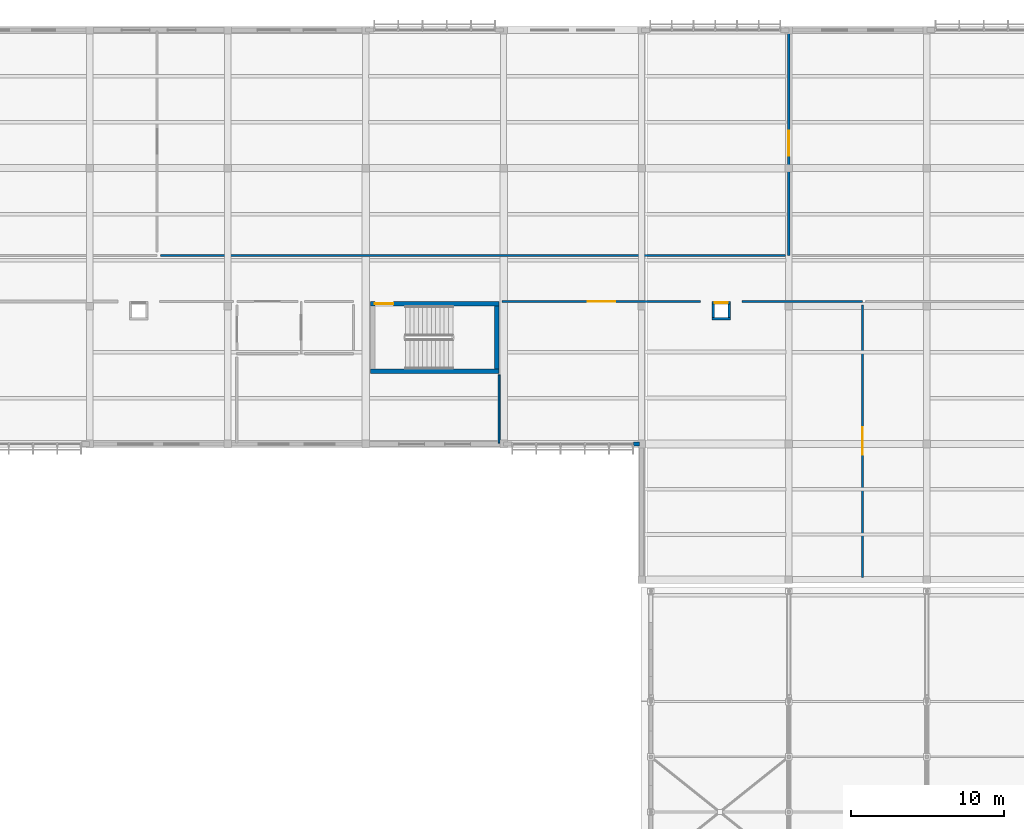
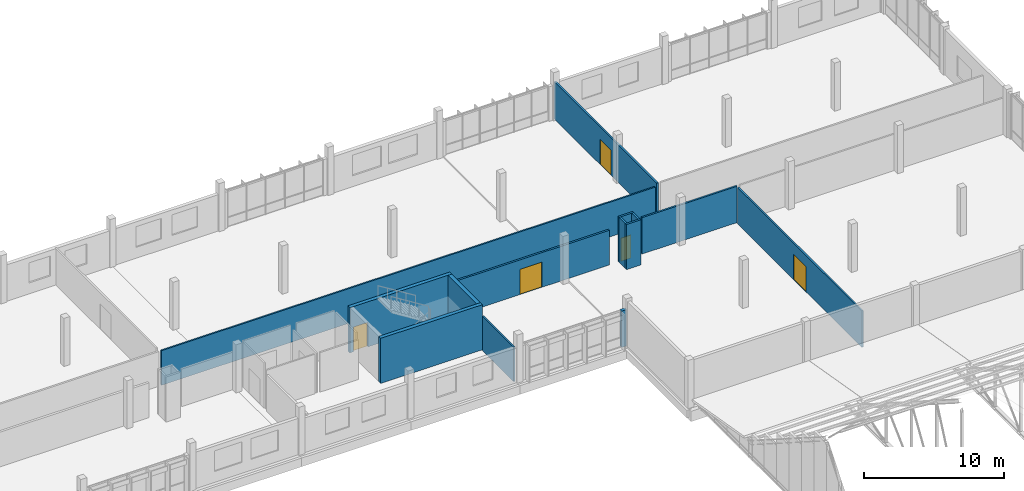
# One storey, part 170 of 182: 14 walls, 5 doors, 5 openings.
"""IFC4 building model written with IfcOpenShell, lengths in metres."""

from ifc_helpers import new_model, si_unit, direction, frame, frame_2d, origin, place, context, subcontext, project, spatial, rectangle, extrude, material, layer, layer_set, type_object, element, fill, save


model = new_model("IFC4")

# Units and contexts
model_context = context("Model", 3, precision=1e-05, world=origin(), true_north=direction((0.0, 1.0)))
body_context = subcontext(model_context, "Body", "Model", "MODEL_VIEW")
ifc_project = project(units=[si_unit("LENGTHUNIT", "METRE"), si_unit("AREAUNIT", "SQUARE_METRE"), si_unit("VOLUMEUNIT", "CUBIC_METRE"), si_unit("PLANEANGLEUNIT", "RADIAN"), si_unit("MASSUNIT", "GRAM", prefix="KILO")], contexts=[model_context])

# Site, building, storey
site_placement = place(None, origin())
site = spatial("IfcSite", under=ifc_project, at=site_placement, CompositionType="ELEMENT")
building_placement = place(site_placement, origin())
building = spatial("IfcBuilding", under=site, at=building_placement, Name="Chiffa Square Polytechnic", CompositionType="ELEMENT")
storey_placement = place(building_placement, frame((0.0, 0.0, 9.60009765625)))
storey = spatial("IfcBuildingStorey", under=building, at=storey_placement, Name="L02", CompositionType="ELEMENT", Elevation=9.60009765625)

# Wall
ifc_material_1 = material(Name="Concrete C40/50", Category="concrete")
ifc_layer_1 = layer(ifc_material_1, 0.300048828125, Name="Concrete C40/50")
ifc_layer_set_1 = layer_set([ifc_layer_1], Name="Concrete C40/50")
wall_type_1 = type_object("IfcWallType", Name="WL-CORE-300", PredefinedType="SHEAR", material=ifc_layer_set_1)
wall_1_placement = place(storey_placement, frame((93.89990234375, 108.550048828125, 0.0), z_axis=(0.0, 0.0, 1.0), x_axis=(1.0, 0.0, 0.0)))
element("IfcWall", 1, at=wall_1_placement, inside=storey, type_object=wall_type_1, Name="Core or enclosure wall WC-CORE-V5B-L02-SOUTH", PredefinedType="SHEAR", context=body_context, shape_type="SweptSolid", body=[
    extrude(rectangle(XDim=8.400146484375, YDim=0.300048828125, at=frame_2d((4.2001953125, 0.0))), origin(), (0.0, 0.0, 1.0), 3.93994140625),
])

# Wall, opening, door
wall_2_placement = place(storey_placement, frame((93.89990234375, 112.949951171875, 0.0), z_axis=(0.0, 0.0, 1.0), x_axis=(1.0, 0.0, 0.0)))
wall_2 = element("IfcWall", 2, at=wall_2_placement, inside=storey, type_object=wall_type_1, Name="Core or enclosure wall WC-CORE-V5B-L02-NORTH", PredefinedType="SHEAR", context=body_context, shape_type="SweptSolid", body=[
    extrude(rectangle(XDim=8.400146484375, YDim=0.300048828125, at=frame_2d((4.2001953125, 0.0))), origin(), (0.0, 0.0, 1.0), 3.93994140625),
])
opening_1_placement = place(wall_2_placement, frame((0.300048828125, 0.0, 0.0)))
opening_1 = element("IfcOpeningElement", 3, at=opening_1_placement, cuts=wall_2, Name="Opening DS-L02-040", PredefinedType="OPENING", context=body_context, shape_type="SweptSolid", body=[
    extrude(rectangle(XDim=1.199951171875, YDim=2.14990234375, at=frame_2d((0.60009765625, 1.074951171875))), frame((0.0, 0.16015625, 0.0), z_axis=(0.0, -1.0, 0.0), x_axis=(1.0, 0.0, 0.0)), (0.0, 0.0, 1.0), 0.320068359375),
])
ifc_material_2 = material(Name="Fire-rated painted steel leaf", Category="steel")
door_type_1 = type_object("IfcDoorType", Name="DR-STAIR-1200", OperationType="NOTDEFINED", PredefinedType="DOOR", material=ifc_material_2)
door_1_placement = place(opening_1_placement, origin())
door_1 = element("IfcDoor", 4, at=door_1_placement, inside=storey, type_object=door_type_1, Name="Enclosure door DS-L02-040", OperationType="SINGLE_SWING_RIGHT", OverallHeight=2.14990234375, OverallWidth=1.199951171875, PredefinedType="DOOR", context=body_context, shape_type="SweptSolid", body=[
    extrude(rectangle(XDim=1.199951171875, YDim=2.14990234375, at=frame_2d((0.60009765625, 1.074951171875))), frame((0.0, 0.02490234375, 0.0), z_axis=(0.0, -1.0, 0.0), x_axis=(1.0, 0.0, 0.0)), (0.0, 0.0, 1.0), 0.050048828125),
])
fill(opening_1, door_1)

# Walls
wall_3_placement = place(storey_placement, frame((102.14990234375, 108.699951171875, 0.0), z_axis=(0.0, 0.0, 1.0), x_axis=(0.0, 1.0, 0.0)))
element("IfcWall", 5, at=wall_3_placement, inside=storey, type_object=wall_type_1, Name="Core or enclosure wall WC-CORE-V5B-L02-EAST", PredefinedType="SHEAR", context=body_context, shape_type="SweptSolid", body=[
    extrude(rectangle(XDim=4.10009765625, YDim=0.300048828125, at=frame_2d((2.050048828125, 0.0))), origin(), (0.0, 0.0, 1.0), 3.93994140625),
])
ifc_material_3 = material(Name="Precast concrete C40/50", Category="concrete")
ifc_layer_2 = layer(ifc_material_3, 0.260009765625, Name="Precast concrete C40/50")
ifc_layer_set_2 = layer_set([ifc_layer_2], Name="Precast concrete C40/50")
wall_type_2 = type_object("IfcWallType", Name="WL-EXT-PC260", PredefinedType="SOLIDWALL", material=ifc_layer_set_2)
wall_4_placement = place(storey_placement, frame((111.06005859375, 103.800048828125, 0.0), z_axis=(0.0, 0.0, 1.0), x_axis=(1.0, 0.0, 0.0)))
element("IfcWall", 6, at=wall_4_placement, inside=storey, type_object=wall_type_2, Name="Facade column pier V5-L02-0300R", PredefinedType="SOLIDWALL", context=body_context, shape_type="SweptSolid", body=[
    extrude(rectangle(XDim=0.412841796875, YDim=0.260009765625, at=frame_2d((0.20654296875, 0.0))), origin(), (0.0, 0.0, 1.0), 3.1748046875),
])
ifc_material_4 = material(Name="Gypsum board on steel stud", Category="steel")
ifc_layer_3 = layer(ifc_material_4, 0.125, Name="Gypsum board on steel stud")
ifc_layer_set_3 = layer_set([ifc_layer_3], Name="Gypsum board on steel stud")
wall_type_3 = type_object("IfcWallType", Name="WL-PART-125", PredefinedType="PARTITIONING", material=ifc_layer_set_3)
wall_5_placement = place(storey_placement, frame((102.300048828125, 103.85498046875, 0.0), z_axis=(0.0, 0.0, 1.0), x_axis=(0.0, 1.0, 0.0)))
element("IfcWall", 7, at=wall_5_placement, inside=storey, type_object=wall_type_3, Name="Interior partition WP-V5-L02-0461", PredefinedType="PARTITIONING", context=body_context, shape_type="SweptSolid", body=[
    extrude(rectangle(XDim=4.455078125, YDim=0.125, at=frame_2d((2.2275390625, 0.0))), origin(), (0.0, 0.0, 1.0), 3.02490234375),
])
wall_6_placement = place(storey_placement, frame((80.219970703125, 116.10009765625, 0.0), z_axis=(0.0, 0.0, 1.0), x_axis=(1.0, 0.0, 0.0)))
element("IfcWall", 8, at=wall_6_placement, inside=storey, type_object=wall_type_3, Name="Interior partition WP-V5-L02-0479", PredefinedType="PARTITIONING", context=body_context, shape_type="SweptSolid", body=[
    extrude(rectangle(XDim=40.760009765625, YDim=0.125, at=frame_2d((20.3798828125, 0.0))), origin(), (0.0, 0.0, 1.0), 3.02490234375),
])

# Wall, opening, door
ifc_layer_4 = layer(ifc_material_4, 0.135009765625, Name="Gypsum board on steel stud")
ifc_layer_set_4 = layer_set([ifc_layer_4], Name="Gypsum board on steel stud")
wall_type_4 = type_object("IfcWallType", Name="WL-PART-135", PredefinedType="PARTITIONING", material=ifc_layer_set_4)
wall_7_placement = place(storey_placement, frame((126.0, 95.10498046875, 0.0), z_axis=(0.0, 0.0, 1.0), x_axis=(0.0, 1.0, 0.0)))
wall_7 = element("IfcWall", 9, at=wall_7_placement, inside=storey, type_object=wall_type_4, Name="Interior partition WP-V5-L02-0460", PredefinedType="PARTITIONING", context=body_context, shape_type="SweptSolid", body=[
    extrude(rectangle(XDim=17.77490234375, YDim=0.135009765625, at=frame_2d((8.887451171875, 0.0))), origin(), (0.0, 0.0, 1.0), 3.1748046875),
])
opening_2_placement = place(wall_7_placement, frame((7.987060546875, 0.0, 0.0)))
opening_2 = element("IfcOpeningElement", 10, at=opening_2_placement, cuts=wall_7, Name="Opening DI-L02-182", PredefinedType="OPENING", context=body_context, shape_type="SweptSolid", body=[
    extrude(rectangle(XDim=1.800048828125, YDim=2.199951171875, at=frame_2d((0.89990234375, 1.10009765625))), frame((0.0, 0.07763671875, 0.0), z_axis=(0.0, -1.0, 0.0), x_axis=(1.0, 0.0, 0.0)), (0.0, 0.0, 1.0), 0.155029296875),
])
ifc_material_5 = material(Name="Solid oak fire door pair")
door_type_2 = type_object("IfcDoorType", Name="DR-CORR-DBL-1800", OperationType="DOUBLE_DOOR_SINGLE_SWING", PredefinedType="DOOR", material=ifc_material_5)
door_2_placement = place(opening_2_placement, origin())
door_2 = element("IfcDoor", 11, at=door_2_placement, inside=storey, type_object=door_type_2, Name="Interior room door DI-L02-182", OperationType="DOUBLE_DOOR_SINGLE_SWING", OverallHeight=2.199951171875, OverallWidth=1.800048828125, PredefinedType="DOOR", context=body_context, shape_type="SweptSolid", body=[
    extrude(rectangle(XDim=1.800048828125, YDim=2.199951171875, at=frame_2d((0.89990234375, 1.10009765625))), frame((0.0, 0.02490234375, 0.0), z_axis=(0.0, -1.0, 0.0), x_axis=(1.0, 0.0, 0.0)), (0.0, 0.0, 1.0), 0.050048828125),
])
fill(opening_2, door_2)

# Wall
ifc_layer_5 = layer(ifc_material_4, 0.14501953125, Name="Gypsum board on steel stud")
ifc_layer_set_5 = layer_set([ifc_layer_5], Name="Gypsum board on steel stud")
wall_type_5 = type_object("IfcWallType", Name="WL-PART-145", PredefinedType="PARTITIONING", material=ifc_layer_set_5)
wall_8_placement = place(storey_placement, frame((118.14599609375, 113.10009765625, 0.0), z_axis=(0.0, 0.0, 1.0), x_axis=(1.0, 0.0, 0.0)))
element("IfcWall", 12, at=wall_8_placement, inside=storey, type_object=wall_type_5, Name="Interior partition WP-V5-L02-0459", PredefinedType="PARTITIONING", context=body_context, shape_type="SweptSolid", body=[
    extrude(rectangle(XDim=7.85400390625, YDim=0.14501953125, at=frame_2d((3.927001953125, 0.0))), origin(), (0.0, 0.0, 1.0), 3.1748046875),
])

# Wall, opening, door
wall_9_placement = place(storey_placement, frame((121.199951171875, 116.10009765625, 0.0), z_axis=(0.0, 0.0, 1.0), x_axis=(0.0, 1.0, 0.0)))
wall_9 = element("IfcWall", 13, at=wall_9_placement, inside=storey, type_object=wall_type_5, Name="Interior partition WP-V5-L02-0465", PredefinedType="PARTITIONING", context=body_context, shape_type="SweptSolid", body=[
    extrude(rectangle(XDim=14.64501953125, YDim=0.14501953125, at=frame_2d((7.322509765625, 0.0))), origin(), (0.0, 0.0, 1.0), 3.27490234375),
])
opening_3_placement = place(wall_9_placement, frame((6.52294921875, 0.0, 0.0)))
opening_3 = element("IfcOpeningElement", 14, at=opening_3_placement, cuts=wall_9, Name="Opening DI-L02-183", PredefinedType="OPENING", context=body_context, shape_type="SweptSolid", body=[
    extrude(rectangle(XDim=1.60009765625, YDim=2.199951171875, at=frame_2d((0.800048828125, 1.10009765625))), frame((0.0, 0.08251953125, 0.0), z_axis=(0.0, -1.0, 0.0), x_axis=(1.0, 0.0, 0.0)), (0.0, 0.0, 1.0), 0.1650390625),
])
ifc_material_6 = material(Name="Vision-panel timber laboratory door", Category="wood")
door_type_3 = type_object("IfcDoorType", Name="DR-LAB-DBL-1600", OperationType="DOUBLE_DOOR_SINGLE_SWING", PredefinedType="DOOR", material=ifc_material_6)
door_3_placement = place(opening_3_placement, origin())
door_3 = element("IfcDoor", 15, at=door_3_placement, inside=storey, type_object=door_type_3, Name="Interior room door DI-L02-183", OperationType="DOUBLE_DOOR_SINGLE_SWING", OverallHeight=2.199951171875, OverallWidth=1.60009765625, PredefinedType="DOOR", context=body_context, shape_type="SweptSolid", body=[
    extrude(rectangle(XDim=1.60009765625, YDim=2.199951171875, at=frame_2d((0.800048828125, 1.10009765625))), frame((0.0, 0.02490234375, 0.0), z_axis=(0.0, -1.0, 0.0), x_axis=(1.0, 0.0, 0.0)), (0.0, 0.0, 1.0), 0.050048828125),
])
fill(opening_3, door_3)

# Wall
ifc_material_7 = material(Name="Gypsum board on acoustic steel stud", Category="steel")
ifc_layer_6 = layer(ifc_material_7, 0.159912109375, Name="Gypsum board on acoustic steel stud")
ifc_layer_set_6 = layer_set([ifc_layer_6], Name="Gypsum board on acoustic steel stud")
wall_type_6 = type_object("IfcWallType", Name="WL-PART-EI60-160", PredefinedType="PARTITIONING", material=ifc_layer_set_6)
wall_10_placement = place(storey_placement, frame((116.199951171875, 111.97998046875, 0.0), z_axis=(0.0, 0.0, 1.0), x_axis=(1.0, 0.0, 0.0)))
element("IfcWall", 16, at=wall_10_placement, inside=storey, type_object=wall_type_6, Name="Core or enclosure wall WP-RSR-V5-E-L02-SOUTH", PredefinedType="PARTITIONING", context=body_context, shape_type="SweptSolid", body=[
    extrude(rectangle(XDim=1.199951171875, YDim=0.159912109375, at=frame_2d((0.60009765625, 0.0))), origin(), (0.0, 0.0, 1.0), 3.93994140625),
])

# Wall, opening, door
wall_11_placement = place(storey_placement, frame((116.199951171875, 113.02001953125, 0.0), z_axis=(0.0, 0.0, 1.0), x_axis=(1.0, 0.0, 0.0)))
wall_11 = element("IfcWall", 17, at=wall_11_placement, inside=storey, type_object=wall_type_6, Name="Core or enclosure wall WP-RSR-V5-E-L02-NORTH", PredefinedType="PARTITIONING", context=body_context, shape_type="SweptSolid", body=[
    extrude(rectangle(XDim=1.199951171875, YDim=0.159912109375, at=frame_2d((0.60009765625, 0.0))), origin(), (0.0, 0.0, 1.0), 3.93994140625),
])
opening_4_placement = place(wall_11_placement, frame((0.175048828125, 0.0, 0.0)))
opening_4 = element("IfcOpeningElement", 18, at=opening_4_placement, cuts=wall_11, Name="Opening DI-L02-R16", PredefinedType="OPENING", context=body_context, shape_type="SweptSolid", body=[
    extrude(rectangle(XDim=0.85009765625, YDim=2.02001953125, at=frame_2d((0.425048828125, 1.010009765625))), frame((0.0, 0.08984375, 0.0), z_axis=(0.0, -1.0, 0.0), x_axis=(1.0, 0.0, 0.0)), (0.0, 0.0, 1.0), 0.179931640625),
])
ifc_material_8 = material(Name="Fire-rated steel riser access door", Category="steel")
door_type_4 = type_object("IfcDoorType", Name="DR-RISER-850", OperationType="NOTDEFINED", PredefinedType="DOOR", material=ifc_material_8)
door_4_placement = place(opening_4_placement, origin())
door_4 = element("IfcDoor", 19, at=door_4_placement, inside=storey, type_object=door_type_4, Name="Enclosure door DI-L02-R16", OperationType="SINGLE_SWING_RIGHT", OverallHeight=2.02001953125, OverallWidth=0.85009765625, PredefinedType="DOOR", context=body_context, shape_type="SweptSolid", body=[
    extrude(rectangle(XDim=0.85009765625, YDim=2.02001953125, at=frame_2d((0.425048828125, 1.010009765625))), frame((0.0, 0.02490234375, 0.0), z_axis=(0.0, -1.0, 0.0), x_axis=(1.0, 0.0, 0.0)), (0.0, 0.0, 1.0), 0.050048828125),
])
fill(opening_4, door_4)

# Walls
for number, where, z_axis, x_axis, name in (
    (20, (116.280029296875, 112.06005859375, 0.0), (0.0, 0.0, 1.0), (0.0, 1.0, 0.0), "Core or enclosure wall WP-RSR-V5-E-L02-WEST"),
    (21, (117.320068359375, 112.06005859375, 0.0), (0.0, 0.0, 1.0), (0.0, 1.0, 0.0), "Core or enclosure wall WP-RSR-V5-E-L02-EAST"),
):
    element("IfcWall", number, at=place(storey_placement, frame(where, z_axis=z_axis, x_axis=x_axis)), inside=storey, type_object=wall_type_6, Name=name, PredefinedType="PARTITIONING", context=body_context, shape_type="SweptSolid", body=[
        extrude(rectangle(XDim=0.8798828125, YDim=0.159912109375, at=frame_2d((0.43994140625, 0.0))), origin(), (0.0, 0.0, 1.0), 3.93994140625),
    ])

# Wall, opening, door
wall_12_placement = place(storey_placement, frame((102.487060546875, 113.10009765625, 0.0), z_axis=(0.0, 0.0, 1.0), x_axis=(1.0, 0.0, 0.0)))
wall_12 = element("IfcWall", 22, at=wall_12_placement, inside=storey, type_object=wall_type_6, Name="Interior partition WP-V5-L02-0458", PredefinedType="PARTITIONING", context=body_context, shape_type="SweptSolid", body=[
    extrude(rectangle(XDim=12.967041015625, YDim=0.159912109375, at=frame_2d((6.4833984375, 0.0))), origin(), (0.0, 0.0, 1.0), 3.02490234375),
])
opening_5_placement = place(wall_12_placement, frame((5.5830078125, 0.0, 0.0)))
opening_5 = element("IfcOpeningElement", 23, at=opening_5_placement, cuts=wall_12, Name="Opening DI-L02-181", PredefinedType="OPENING", context=body_context, shape_type="SweptSolid", body=[
    extrude(rectangle(XDim=1.800048828125, YDim=2.199951171875, at=frame_2d((0.89990234375, 1.10009765625))), frame((0.0, 0.08984375, 0.0), z_axis=(0.0, -1.0, 0.0), x_axis=(1.0, 0.0, 0.0)), (0.0, 0.0, 1.0), 0.179931640625),
])
door_5_placement = place(opening_5_placement, origin())
door_5 = element("IfcDoor", 24, at=door_5_placement, inside=storey, type_object=door_type_2, Name="Interior room door DI-L02-181", OperationType="DOUBLE_DOOR_SINGLE_SWING", OverallHeight=2.199951171875, OverallWidth=1.800048828125, PredefinedType="DOOR", context=body_context, shape_type="SweptSolid", body=[
    extrude(rectangle(XDim=1.800048828125, YDim=2.199951171875, at=frame_2d((0.89990234375, 1.10009765625))), frame((0.0, 0.02490234375, 0.0), z_axis=(0.0, -1.0, 0.0), x_axis=(1.0, 0.0, 0.0)), (0.0, 0.0, 1.0), 0.050048828125),
])
fill(opening_5, door_5)

save(model, "model.ifc")
